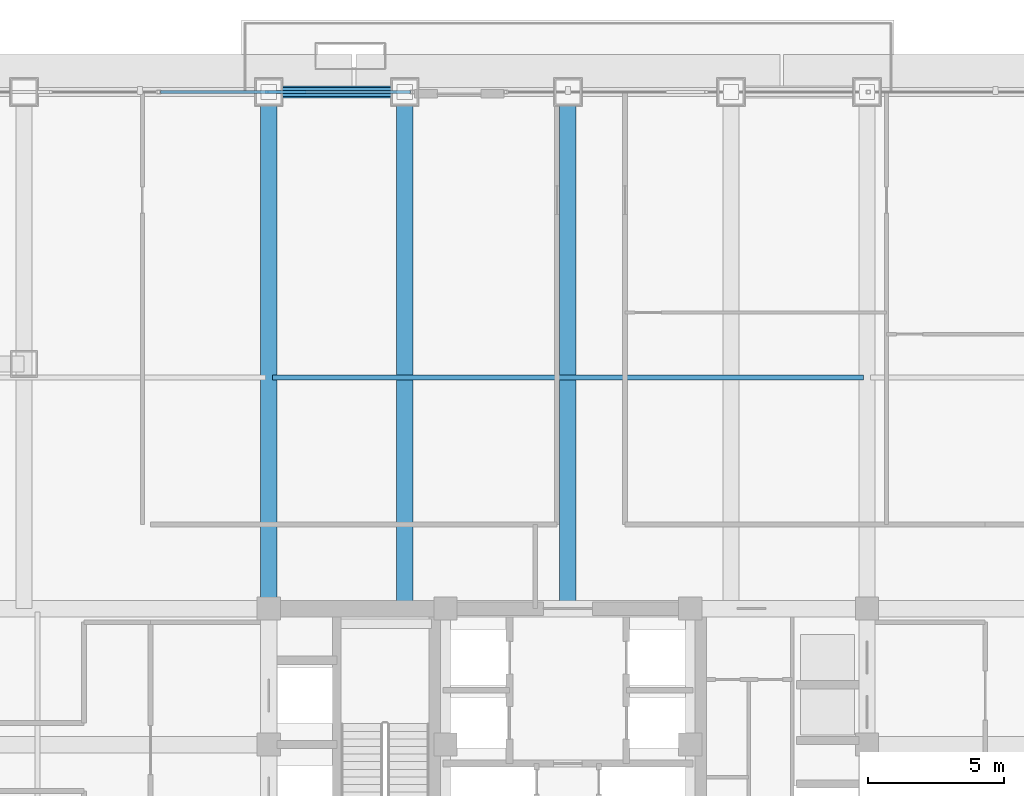
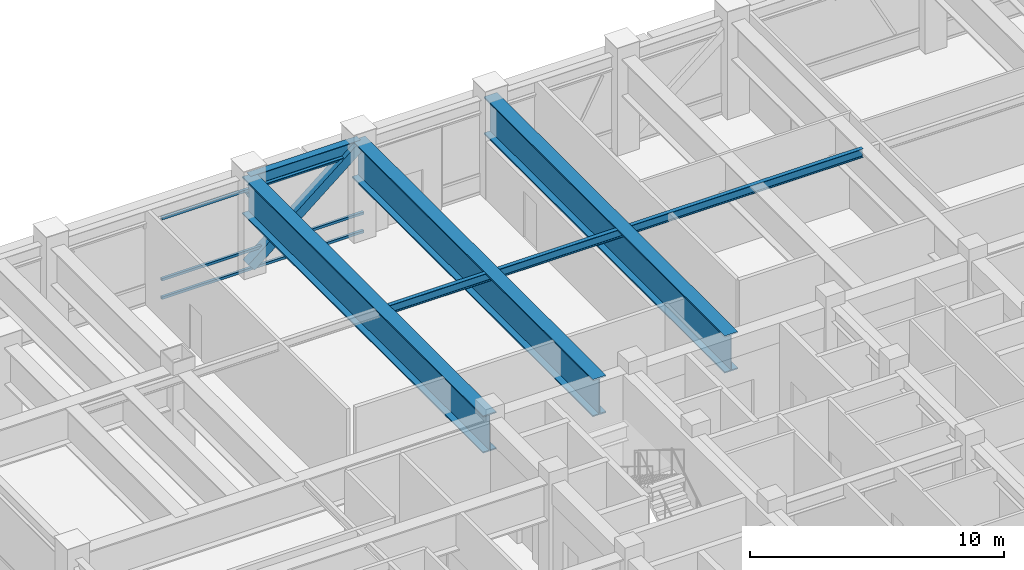
# One storey, part 17 of 33: 5 beams, 5 members, 1 element without a shape of its own.
"""IFC4 building model written with IfcOpenShell, lengths in metres."""

from ifc_helpers import new_model, si_unit, direction, frame, origin, origin_2d, place, context, subcontext, project, spatial, hollow_rectangle, i_section, extrude, source, transform, mapped, material, material_profile, profile_set, type_object, element, aggregate, save


model = new_model("IFC4")

# Units and contexts
model_context = context("Model", 3, precision=1e-05, world=origin(), true_north=direction((0.0, 1.0)))
body_context = subcontext(model_context, "Body", "Model", "MODEL_VIEW")
ifc_project = project(units=[si_unit("LENGTHUNIT", "METRE"), si_unit("AREAUNIT", "SQUARE_METRE"), si_unit("VOLUMEUNIT", "CUBIC_METRE"), si_unit("PLANEANGLEUNIT", "RADIAN"), si_unit("MASSUNIT", "GRAM", prefix="KILO")], contexts=[model_context])

# Site, building, storey
site_placement = place(None, origin())
site = spatial("IfcSite", under=ifc_project, at=site_placement, CompositionType="ELEMENT")
building_placement = place(site_placement, origin())
building = spatial("IfcBuilding", under=site, at=building_placement, Name="Khorayat Bourse Tower", CompositionType="ELEMENT")
storey_placement = place(building_placement, frame((0.0, 0.0, 263.10009765625)))
storey = spatial("IfcBuildingStorey", under=building, at=storey_placement, Name="L62", CompositionType="ELEMENT", Elevation=263.10009765625)

# Beams
ifc_material_1 = material(Name="Steel ASTM A992 Grade 50", Category="steel")
ifc_material_profile_1 = material_profile(ifc_material_1, i_section(OverallWidth=0.180908203125, OverallDepth=0.4169921875, WebThickness=0.010986328125, FlangeThickness=0.018310546875, FilletRadius=0.011962890625, at=origin_2d()), Name="W410X85")
ifc_profile_set_1 = profile_set([ifc_material_profile_1], Name="Steel ASTM A992 Grade 50")
beam_type_1 = type_object("IfcBeamType", Name="BM-JOIST-410", PredefinedType="JOIST", material=ifc_profile_set_1)
shared_shape_1 = source(origin(), body_context, "Body", "SweptSolid", [
    extrude(i_section(OverallWidth=0.180908203125, OverallDepth=0.4169921875, WebThickness=0.010986328125, FlangeThickness=0.018310546875, FilletRadius=0.011962890625, at=origin_2d()), origin(), (0.0, 0.0, 1.0), 21.740234375),
])
beam_1_placement = place(storey_placement, frame((-10.8701171875, 19.5, 4.391357421875), z_axis=(1.0, 0.0, 0.0), x_axis=(0.0, 1.0, 0.0)))
element("IfcBeam", 1, at=beam_1_placement, inside=storey, type_object=beam_type_1, Name="L62 BM-JOIST-410 BM-L62-JSTX-108", PredefinedType="JOIST", context=body_context, shape_type="MappedRepresentation", body=[
    mapped(shared_shape_1, transform((0.0, 0.0, 0.0), scale=1.0)),
])
ifc_material_profile_2 = material_profile(ifc_material_1, i_section(OverallWidth=0.324951171875, OverallDepth=0.615966796875, WebThickness=0.013916015625, FlangeThickness=0.021484375, FilletRadius=0.01611328125, at=origin_2d()), Name="W610X174")
ifc_profile_set_2 = profile_set([ifc_material_profile_2], Name="Steel ASTM A992 Grade 50")
beam_type_2 = type_object("IfcBeamType", Name="BM-SPAN-610", PredefinedType="SPANDREL", material=ifc_profile_set_2)
shared_shape_2 = source(origin(), body_context, "Body", "SweptSolid", [
    extrude(i_section(OverallWidth=0.324951171875, OverallDepth=0.615966796875, WebThickness=0.013916015625, FlangeThickness=0.021484375, FilletRadius=0.01611328125, at=origin_2d()), origin(), (0.0, 0.0, 1.0), 5.0),
])
beam_2_placement = place(storey_placement, frame((-11.0, 30.0, 4.2919921875), z_axis=(1.0, 0.0, 0.0), x_axis=(0.0, 1.0, 0.0)))
element("IfcBeam", 2, at=beam_2_placement, inside=storey, type_object=beam_type_2, Name="L62 BM-SPAN-610 BM-L62-SPN-049", PredefinedType="SPANDREL", context=body_context, shape_type="MappedRepresentation", body=[
    mapped(shared_shape_2, transform((0.0, 0.0, 0.0), scale=1.0)),
])
ifc_material_2 = material(Name="Steel EN 10025-4 S460M", Category="steel")
ifc_material_profile_3 = material_profile(ifc_material_2, i_section(OverallWidth=0.60009765625, OverallDepth=1.800048828125, WebThickness=0.031982421875, FlangeThickness=0.06005859375, at=origin_2d()), Name="PG 1800x600x32x60")
ifc_profile_set_3 = profile_set([ifc_material_profile_3], Name="Steel EN 10025-4 S460M")
beam_type_3 = type_object("IfcBeamType", Name="BM-TR-1800", PredefinedType="BEAM", material=ifc_profile_set_3)
shared_shape_3 = source(origin(), body_context, "Body", "SweptSolid", [
    extrude(i_section(OverallWidth=0.60009765625, OverallDepth=1.800048828125, WebThickness=0.031982421875, FlangeThickness=0.06005859375, at=origin_2d()), origin(), (0.0, 0.0, 1.0), 19.0),
])
for number, where, z_axis, x_axis, name in (
    (3, (-11.0, 11.0, 3.699951171875), (0.0, 1.0, 0.0), (-1.0, 0.0, 0.0), "L62 BM-TR-1800 BM-L62-RADY-064"),
    (4, (-6.0, 11.0, 3.699951171875), (0.0, 1.0, 0.0), (-1.0, 0.0, 0.0), "L62 BM-TR-1800 BM-L62-RADY-066"),
    (5, (0.0, 11.0, 3.699951171875), (0.0, 1.0, 0.0), (-1.0, 0.0, 0.0), "L62 BM-TR-1800 BM-L62-RADY-068"),
):
    element("IfcBeam", number, at=place(storey_placement, frame(where, z_axis=z_axis, x_axis=x_axis)), inside=storey, type_object=beam_type_3, Name=name, PredefinedType="BEAM", context=body_context, shape_type="MappedRepresentation", body=[
        mapped(shared_shape_3, transform((0.0, 0.0, 0.0), scale=1.0)),
    ])

# Member
ifc_material_profile_4 = material_profile(ifc_material_2, hollow_rectangle(XDim=0.449951171875, YDim=0.449951171875, WallThickness=0.02490234375, at=origin_2d()), Name="HSS 450x450x25")
ifc_profile_set_4 = profile_set([ifc_material_profile_4], Name="Steel EN 10025-4 S460M")
member_type_1 = type_object("IfcMemberType", Name="MBR-TUBE-450", PredefinedType="BRACE", material=ifc_profile_set_4)
shared_shape_4 = source(origin(), body_context, "Body", "SweptSolid", [
    extrude(hollow_rectangle(XDim=0.449951171875, YDim=0.449951171875, WallThickness=0.02490234375, at=origin_2d()), origin(), (0.0, 0.0, 1.0), 6.466064453125),
])
member_1_placement = place(storey_placement, frame((-11.0, 30.0, 0.25), z_axis=(0.773278898257, 0.0, 0.634066041916), x_axis=(0.0, 1.0, 0.0)))
element("IfcMember", 6, at=member_1_placement, inside=storey, type_object=member_type_1, Name="L62 Perimeter Tube Brace 03", PredefinedType="BRACE", context=body_context, shape_type="MappedRepresentation", body=[
    mapped(shared_shape_4, transform((0.0, 0.0, 0.0), scale=1.0)),
])

# Curtain wall, members
ifc_material_3 = material(Name="Aluminium EN AW-6063 T6", Category="aluminium")
curtain_wall_type = type_object("IfcCurtainWallType", Name="CW-SYS-05", PredefinedType="NOTDEFINED", material=ifc_material_3)
curtain_wall_placement = place(storey_placement, origin())
curtain_wall = element("IfcCurtainWall", 7, at=curtain_wall_placement, inside=storey, type_object=curtain_wall_type, Name="L62 Curtain Wall CW-L62-N1", PredefinedType="NOTDEFINED")
ifc_material_profile_5 = material_profile(ifc_material_3, hollow_rectangle(XDim=0.1201171875, YDim=0.1201171875, WallThickness=0.0048828125, at=origin_2d()), Name="ALU 120x120x5")
ifc_profile_set_5 = profile_set([ifc_material_profile_5], Name="Aluminium EN AW-6063 T6")
member_type_2 = type_object("IfcMemberType", Name="CWT-HORZ-120", PredefinedType="USERDEFINED", material=ifc_profile_set_5)
shared_shape_5 = source(origin(), body_context, "Body", "SweptSolid", [
    extrude(hollow_rectangle(XDim=0.1201171875, YDim=0.1201171875, WallThickness=0.0048828125, at=origin_2d()), origin(), (0.0, 0.0, 1.0), 9.18994140625),
])
member_2_placement = place(storey_placement, frame((-14.97998046875, 30.0, 0.059814453125), z_axis=(1.0, 0.0, 0.0), x_axis=(0.0, 1.0, 0.0)))
member_2 = element("IfcMember", 8, at=member_2_placement, type_object=member_type_2, Name="CW-L62-N1 Horizontal Transom 2-1", ObjectType="TRANSOM", PredefinedType="USERDEFINED", context=body_context, shape_type="MappedRepresentation", body=[
    mapped(shared_shape_5, transform((0.0, 0.0, 0.0), scale=1.0)),
])
member_3_placement = place(storey_placement, frame((-14.97998046875, 30.0, 0.949951171875), z_axis=(1.0, 0.0, 0.0), x_axis=(0.0, 1.0, 0.0)))
member_3 = element("IfcMember", 9, at=member_3_placement, type_object=member_type_2, Name="CW-L62-N1 Horizontal Transom 2-2", ObjectType="TRANSOM", PredefinedType="USERDEFINED", context=body_context, shape_type="MappedRepresentation", body=[
    mapped(shared_shape_5, transform((0.0, 0.0, 0.0), scale=1.0)),
])
member_4_placement = place(storey_placement, frame((-14.97998046875, 30.0, 3.889892578125), z_axis=(1.0, 0.0, 0.0), x_axis=(0.0, 1.0, 0.0)))
member_4 = element("IfcMember", 10, at=member_4_placement, type_object=member_type_2, Name="CW-L62-N1 Horizontal Transom 2-3", ObjectType="TRANSOM", PredefinedType="USERDEFINED", context=body_context, shape_type="MappedRepresentation", body=[
    mapped(shared_shape_5, transform((0.0, 0.0, 0.0), scale=1.0)),
])
ifc_material_profile_6 = material_profile(ifc_material_3, hollow_rectangle(XDim=0.1201171875, YDim=0.1201171875, WallThickness=0.0048828125, at=origin_2d()), Name="ALU 120x120x5")
ifc_profile_set_6 = profile_set([ifc_material_profile_6], Name="Aluminium EN AW-6063 T6")
member_type_3 = type_object("IfcMemberType", Name="CWM-DIAG-120", PredefinedType="MULLION", material=ifc_profile_set_6)
shared_shape_6 = source(origin(), body_context, "Body", "SweptSolid", [
    extrude(hollow_rectangle(XDim=0.1201171875, YDim=0.1201171875, WallThickness=0.0048828125, at=origin_2d()), origin(), (0.0, 0.0, 1.0), 3.006103515625),
])
member_5_placement = place(storey_placement, frame((-9.68505859375, 30.0, 1.08984375), z_axis=(-0.465699569312, 0.0, 0.884942885808), x_axis=(0.0, -1.0, 0.0)))
member_5 = element("IfcMember", 11, at=member_5_placement, type_object=member_type_3, Name="CW-L62-N1 Faceted Diagonal Mullion 2", PredefinedType="MULLION", context=body_context, shape_type="MappedRepresentation", body=[
    mapped(shared_shape_6, transform((0.0, 0.0, 0.0), scale=1.0)),
])
aggregate(curtain_wall, [member_2, member_3, member_4, member_5])

save(model, "model.ifc")
